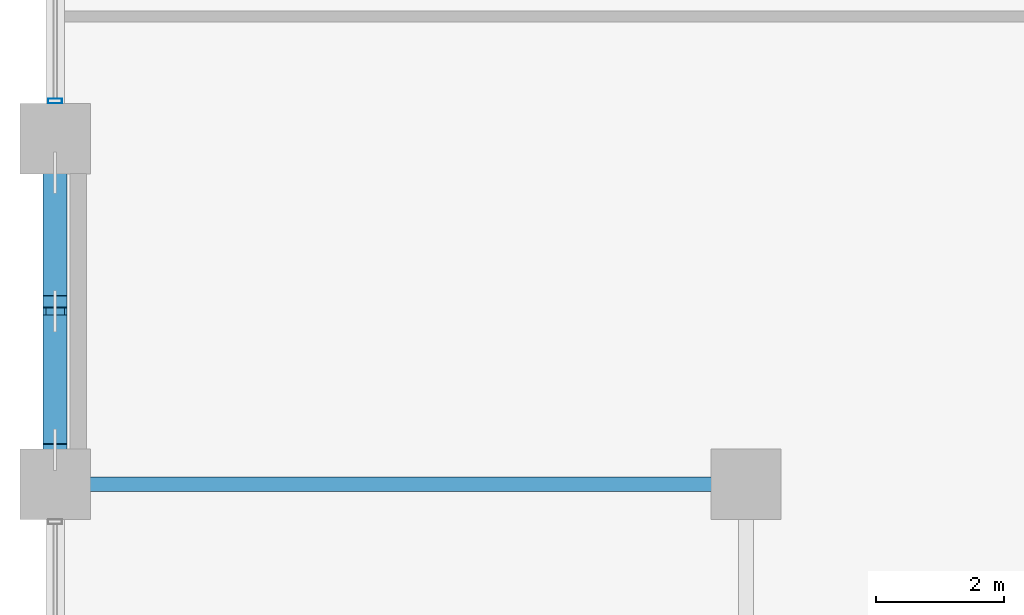
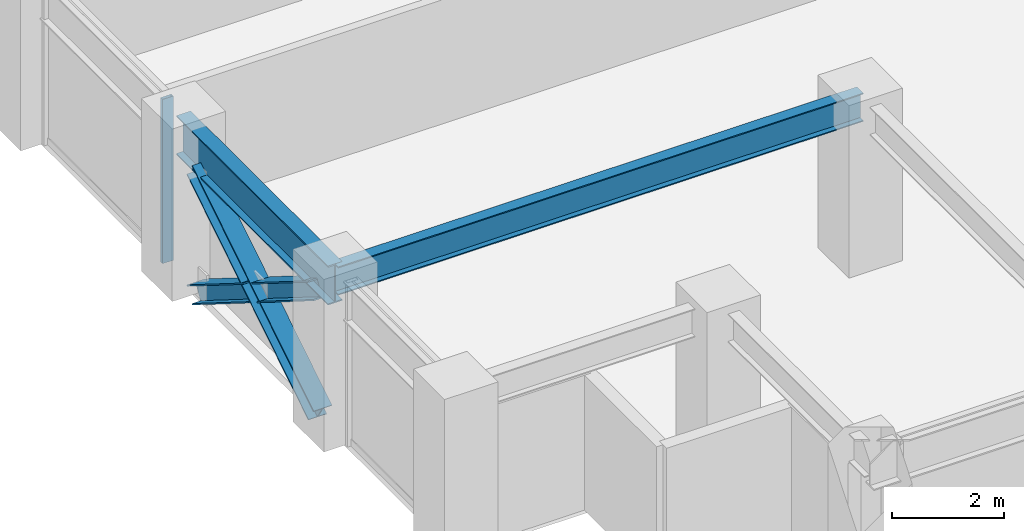
# One storey, part 3 of 25: 4 members, 2 beams, 1 element without a shape of its own.
"""IFC4 building model written with IfcOpenShell, lengths in metres."""

from ifc_helpers import new_model, si_unit, direction, frame, origin, origin_2d, place, context, subcontext, project, spatial, hollow_rectangle, i_section, extrude, material, layer, layer_set, material_profile, profile_set, type_object, element, aggregate, save


model = new_model("IFC4")

# Units and contexts
model_context = context("Model", 3, precision=1e-05, world=origin(), true_north=direction((0.0, 1.0)))
body_context = subcontext(model_context, "Body", "Model", "MODEL_VIEW")
ifc_project = project(units=[si_unit("LENGTHUNIT", "METRE"), si_unit("AREAUNIT", "SQUARE_METRE"), si_unit("VOLUMEUNIT", "CUBIC_METRE"), si_unit("PLANEANGLEUNIT", "RADIAN"), si_unit("MASSUNIT", "GRAM", prefix="KILO")], contexts=[model_context])

# Site, building, storey
site_placement = place(None, origin())
site = spatial("IfcSite", under=ifc_project, at=site_placement, CompositionType="ELEMENT")
building_placement = place(site_placement, origin())
building = spatial("IfcBuilding", under=site, at=building_placement, Name="Surkhivell Harbour Commons", CompositionType="ELEMENT")
storey_placement = place(building_placement, frame((0.0, 0.0, 117.0)))
storey = spatial("IfcBuildingStorey", under=building, at=storey_placement, Name="L30", CompositionType="ELEMENT", Elevation=117.0)

# Beams
ifc_material_1 = material(Name="Steel S355", Category="steel")
ifc_material_profile_1 = material_profile(ifc_material_1, i_section(OverallWidth=0.22998046875, OverallDepth=0.616943359375, WebThickness=0.01318359375, FlangeThickness=0.022216796875, at=origin_2d()), Name="UB610x229x140")
ifc_profile_set_1 = profile_set([ifc_material_profile_1], Name="Steel S355")
beam_type_1 = type_object("IfcBeamType", Name="BM-GRD-610B", PredefinedType="BEAM", material=ifc_profile_set_1)
beam_1_placement = place(storey_placement, frame((-32.39990234375, -16.199951171875, 3.261474609375), z_axis=(1.0, 0.0, 0.0), x_axis=(0.0, 1.0, 0.0)))
element("IfcBeam", 1, at=beam_1_placement, inside=storey, type_object=beam_type_1, Name="L30 Floor Girder (-32.4,-16.2)", PredefinedType="BEAM", context=body_context, shape_type="SweptSolid", body=[
    extrude(i_section(OverallWidth=0.22998046875, OverallDepth=0.616943359375, WebThickness=0.01318359375, FlangeThickness=0.022216796875, at=origin_2d()), origin(), (0.0, 0.0, 1.0), 10.7998046875),
])
ifc_material_2 = material(Name="Steel S460", Category="steel")
ifc_material_profile_2 = material_profile(ifc_material_2, i_section(OverallWidth=0.2939453125, OverallDepth=0.85107421875, WebThickness=0.01611328125, FlangeThickness=0.02685546875, at=origin_2d()), Name="UB838x292x226")
ifc_profile_set_2 = profile_set([ifc_material_profile_2], Name="Steel S460")
beam_type_2 = type_object("IfcBeamType", Name="BM-SPN-838", PredefinedType="SPANDREL", material=ifc_profile_set_2)
beam_2_placement = place(storey_placement, frame((-32.39990234375, -16.199951171875, 3.14453125), z_axis=(0.0, 1.0, 0.0), x_axis=(-1.0, 0.0, 0.0)))
element("IfcBeam", 2, at=beam_2_placement, inside=storey, type_object=beam_type_2, Name="L30 Tube Spandrel (-32.4,-16.2)", PredefinedType="SPANDREL", context=body_context, shape_type="SweptSolid", body=[
    extrude(i_section(OverallWidth=0.2939453125, OverallDepth=0.85107421875, WebThickness=0.01611328125, FlangeThickness=0.02685546875, at=origin_2d()), origin(), (0.0, 0.0, 1.0), 5.39990234375),
])

# Curtain wall, member
ifc_material_3 = material(Name="Anodised pale-metal aluminium and insulated glazing", Category="aluminium")
ifc_layer = layer(ifc_material_3, 0.205078125)
ifc_layer_set = layer_set([ifc_layer], Name="Anodised pale-metal aluminium and insulated glazing")
curtain_wall_type = type_object("IfcCurtainWallType", Name="CW-SYS-Z2", PredefinedType="NOTDEFINED", material=ifc_layer_set)
curtain_wall_placement = place(storey_placement, origin())
curtain_wall = element("IfcCurtainWall", 3, at=curtain_wall_placement, inside=storey, type_object=curtain_wall_type, Name="L30 Curtain Wall CW-L30-E12S1", PredefinedType="NOTDEFINED")
ifc_material_4 = material(Name="Anodised pale-metal aluminium alloy 6063-T6", Category="aluminium")
ifc_material_profile_3 = material_profile(ifc_material_4, hollow_rectangle(XDim=0.074951171875, YDim=0.219970703125, WallThickness=0.00390625, at=origin_2d()), Name="ALU-MULL-75x220")
ifc_profile_set_3 = profile_set([ifc_material_profile_3], Name="Anodised pale-metal aluminium alloy 6063-T6")
member_type_1 = type_object("IfcMemberType", Name="CWM-220", PredefinedType="MULLION", material=ifc_profile_set_3)
member_1_placement = place(storey_placement, frame((-32.39990234375, -10.21044921875, 0.0), z_axis=(0.0, 0.0, 1.0), x_axis=(0.0, -1.0, 0.0)))
member_1 = element("IfcMember", 4, at=member_1_placement, type_object=member_type_1, Name="CW-Z2 mullion 7", PredefinedType="MULLION", context=body_context, shape_type="SweptSolid", body=[
    extrude(hollow_rectangle(XDim=0.074951171875, YDim=0.219970703125, WallThickness=0.00390625, at=origin_2d()), origin(), (0.0, 0.0, 1.0), 3.570068359375),
])
aggregate(curtain_wall, [member_1])

# Members
ifc_material_profile_4 = material_profile(ifc_material_2, i_section(OverallWidth=0.375, OverallDepth=0.375, WebThickness=0.0166015625, FlangeThickness=0.027099609375, at=origin_2d()), Name="UC356x368x202")
ifc_profile_set_4 = profile_set([ifc_material_profile_4], Name="Steel S460")
member_type_2 = type_object("IfcMemberType", Name="MEM-BRC-UC356", PredefinedType="BRACE", material=ifc_profile_set_4)
member_2_placement = place(storey_placement, frame((-32.39990234375, -15.6650390625, 0.008056640625), z_axis=(0.0, 0.847246015888, 0.531200704594), x_axis=(-1.0, 0.0, 0.0)))
element("IfcMember", 5, at=member_2_placement, inside=storey, type_object=member_type_2, Name="L30 Perimeter Mega-Brace MB- 10", PredefinedType="BRACE", context=body_context, shape_type="SweptSolid", body=[
    extrude(i_section(OverallWidth=0.375, OverallDepth=0.375, WebThickness=0.0166015625, FlangeThickness=0.027099609375, at=origin_2d()), origin(), (0.0, 0.0, 1.0), 5.11083984375),
])
member_3_placement = place(storey_placement, frame((-32.39990234375, -11.3349609375, 0.008056640625), z_axis=(0.0, -0.847206308526, 0.53126403115), x_axis=(1.0, 0.0, 0.0)))
element("IfcMember", 6, at=member_3_placement, inside=storey, type_object=member_type_2, Name="L30 Perimeter Mega-Brace MB- 11", PredefinedType="BRACE", context=body_context, shape_type="SweptSolid", body=[
    extrude(i_section(OverallWidth=0.375, OverallDepth=0.375, WebThickness=0.0166015625, FlangeThickness=0.027099609375, at=origin_2d()), origin(), (0.0, 0.0, 1.0), 2.37548828125),
])
member_4_placement = place(storey_placement, frame((-32.39990234375, -13.652587890625, 1.461181640625), z_axis=(0.0, -0.84725256761, 0.53119025469), x_axis=(1.0, 0.0, 0.0)))
element("IfcMember", 7, at=member_4_placement, inside=storey, type_object=member_type_2, Name="L30 Perimeter Mega-Brace MB- 12", PredefinedType="BRACE", context=body_context, shape_type="SweptSolid", body=[
    extrude(i_section(OverallWidth=0.375, OverallDepth=0.375, WebThickness=0.0166015625, FlangeThickness=0.027099609375, at=origin_2d()), origin(), (0.0, 0.0, 1.0), 2.375244140625),
])

save(model, "model.ifc")
